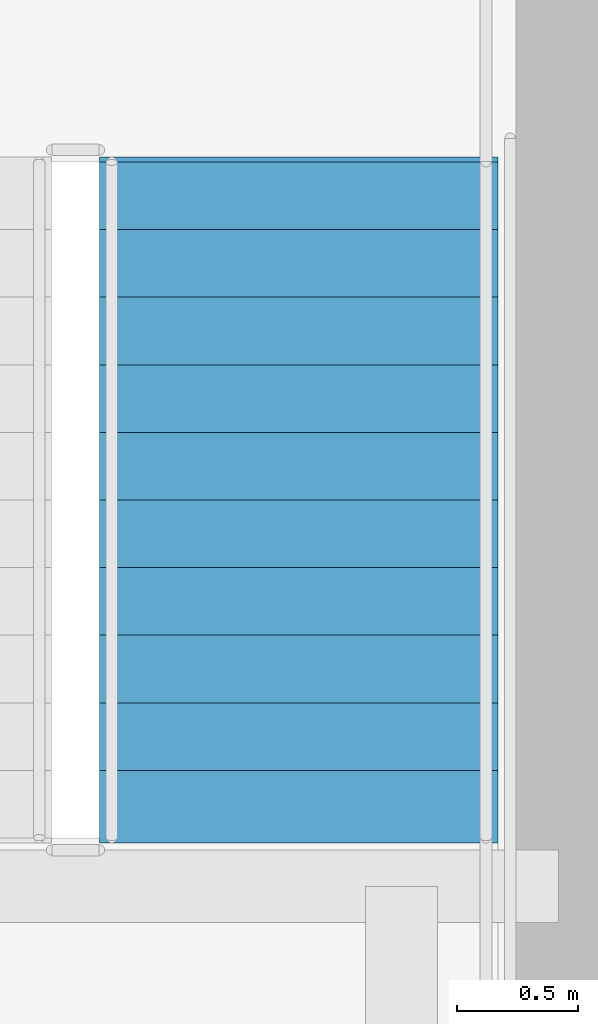
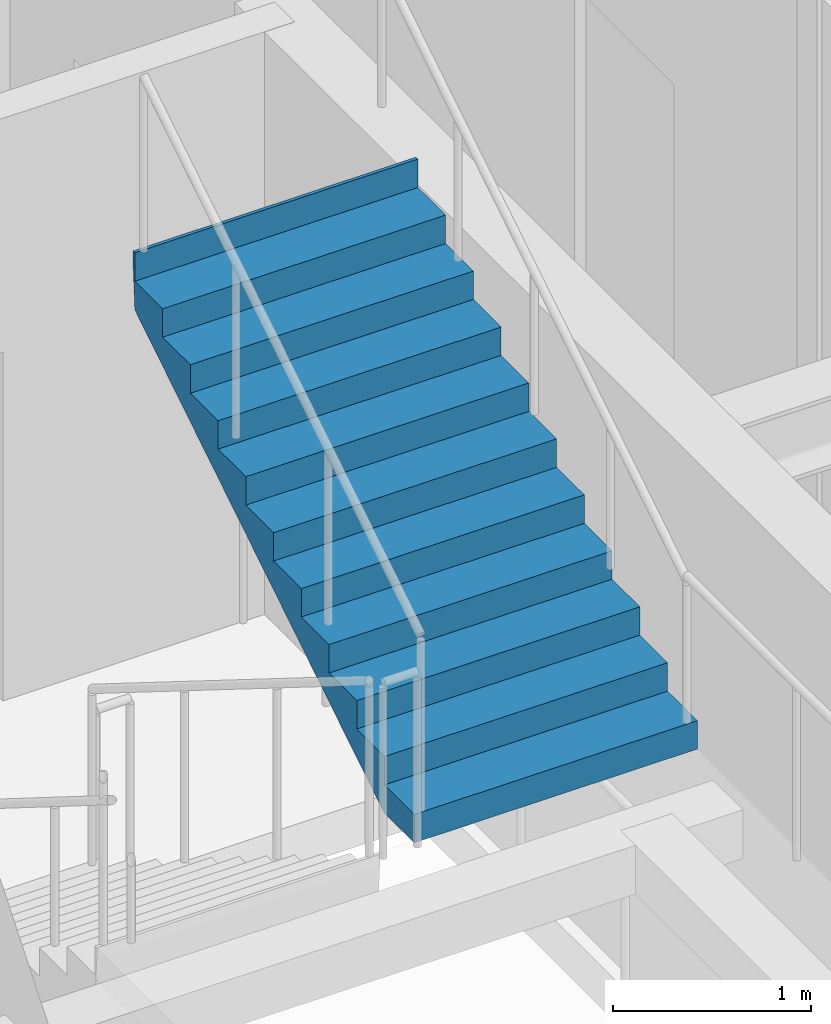
# One storey, part 33 of 38: 1 stair flight, 1 element without a shape of its own.
"""IFC4 building model written with IfcOpenShell, lengths in metres."""

from ifc_helpers import new_model, si_unit, direction, frame, origin, place, context, subcontext, project, spatial, polygons, material, type_object, element, aggregate, save


model = new_model("IFC4")

# Units and contexts
model_context = context("Model", 3, precision=1e-05, world=origin(), true_north=direction((0.0, 1.0)))
body_context = subcontext(model_context, "Body", "Model", "MODEL_VIEW")
ifc_project = project(units=[si_unit("LENGTHUNIT", "METRE"), si_unit("AREAUNIT", "SQUARE_METRE"), si_unit("VOLUMEUNIT", "CUBIC_METRE"), si_unit("PLANEANGLEUNIT", "RADIAN"), si_unit("MASSUNIT", "GRAM", prefix="KILO")], contexts=[model_context])

# Site, building, storey
site_placement = place(None, origin())
site = spatial("IfcSite", under=ifc_project, at=site_placement, CompositionType="ELEMENT")
building_placement = place(site_placement, origin())
building = spatial("IfcBuilding", under=site, at=building_placement, Name="Serunith Strait Residences", CompositionType="ELEMENT")
storey_placement = place(building_placement, frame((0.0, 0.0, 229.699951171875)))
storey = spatial("IfcBuildingStorey", under=building, at=storey_placement, Name="L57", CompositionType="ELEMENT", Elevation=229.699951171875)

# Stair, stair flight
ifc_material = material(Name="Concrete C50/60", Category="concrete")
stair_type = type_object("IfcStairType", Name="STR-CORE-2", PredefinedType="HALF_TURN_STAIR", material=ifc_material)
stair_placement = place(storey_placement, origin())
stair = element("IfcStair", 1, at=stair_placement, inside=storey, type_object=stair_type, Name="L57 Protected Escape Stair ST-2", PredefinedType="HALF_TURN_STAIR")
stair_flight_type = type_object("IfcStairFlightType", Name="FLT-CORE-2", PredefinedType="STRAIGHT", material=ifc_material)
stair_flight_placement = place(storey_placement, frame((40.324951171875, 20.570068359375, 1.925048828125), z_axis=(0.0, 0.0, 1.0), x_axis=(0.0, 1.0, 0.0)))
stair_flight = element("IfcStairFlight", 2, at=stair_flight_placement, type_object=stair_flight_type, Name="ST-2 flight 2", NumberOfRisers=11, NumberOfTreads=10, PredefinedType="STRAIGHT", RiserHeight=0.175, TreadLength=0.28, context=body_context, shape_type="Tessellation", body=[
    polygons([(-0.02001953125, -0.824951171875, 0.0), (-0.02001953125, -0.824951171875, 0.175048828125), (0.280029296875, -0.824951171875, 0.175048828125), (0.280029296875, -0.824951171875, 0.35009765625), (0.56005859375, -0.824951171875, 0.35009765625), (0.56005859375, -0.824951171875, 0.52490234375), (0.840087890625, -0.824951171875, 0.52490234375), (0.840087890625, -0.824951171875, 0.699951171875), (1.1201171875, -0.824951171875, 0.699951171875), (1.1201171875, -0.824951171875, 0.875), (1.39990234375, -0.824951171875, 0.875), (1.39990234375, -0.824951171875, 1.050048828125), (1.679931640625, -0.824951171875, 1.050048828125), (1.679931640625, -0.824951171875, 1.22509765625), (1.9599609375, -0.824951171875, 1.22509765625), (1.9599609375, -0.824951171875, 1.39990234375), (2.239990234375, -0.824951171875, 1.39990234375), (2.239990234375, -0.824951171875, 1.574951171875), (2.52001953125, -0.824951171875, 1.574951171875), (2.52001953125, -0.824951171875, 1.75), (2.800048828125, -0.824951171875, 1.75), (2.800048828125, -0.824951171875, 1.925048828125), (2.820068359375, -0.824951171875, 1.925048828125), (2.820068359375, -0.824951171875, 1.864990234375), (2.800048828125, -0.824951171875, 1.5732421875), (0.28271484375, -0.824951171875, 0.0), (-0.02001953125, -0.41259765625, 0.0), (-0.02001953125, -0.41259765625, 0.175048828125), (0.280029296875, -0.41259765625, 0.175048828125), (0.280029296875, -0.41259765625, 0.35009765625), (0.56005859375, -0.41259765625, 0.35009765625), (0.56005859375, -0.41259765625, 0.52490234375), (0.840087890625, -0.41259765625, 0.52490234375), (0.840087890625, -0.41259765625, 0.699951171875), (1.1201171875, -0.41259765625, 0.699951171875), (1.1201171875, -0.41259765625, 0.875), (1.39990234375, -0.41259765625, 0.875), (1.39990234375, -0.41259765625, 1.050048828125), (1.679931640625, -0.41259765625, 1.050048828125), (1.679931640625, -0.41259765625, 1.22509765625), (1.9599609375, -0.41259765625, 1.22509765625), (1.9599609375, -0.41259765625, 1.39990234375), (2.239990234375, -0.41259765625, 1.39990234375), (2.239990234375, -0.41259765625, 1.574951171875), (2.52001953125, -0.41259765625, 1.574951171875), (2.52001953125, -0.41259765625, 1.75), (2.800048828125, -0.41259765625, 1.75), (2.800048828125, -0.41259765625, 1.925048828125), (2.820068359375, -0.41259765625, 1.925048828125), (2.820068359375, -0.41259765625, 1.864990234375), (2.800048828125, -0.41259765625, 1.5732421875), (0.28271484375, -0.41259765625, 0.0), (-0.02001953125, 0.0, 0.0), (-0.02001953125, 0.0, 0.175048828125), (0.280029296875, 0.0, 0.175048828125), (0.280029296875, 0.0, 0.35009765625), (0.56005859375, 0.0, 0.35009765625), (0.56005859375, 0.0, 0.52490234375), (0.840087890625, 0.0, 0.52490234375), (0.840087890625, 0.0, 0.699951171875), (1.1201171875, 0.0, 0.699951171875), (1.1201171875, 0.0, 0.875), (1.39990234375, 0.0, 0.875), (1.39990234375, 0.0, 1.050048828125), (1.679931640625, 0.0, 1.050048828125), (1.679931640625, 0.0, 1.22509765625), (1.9599609375, 0.0, 1.22509765625), (1.9599609375, 0.0, 1.39990234375), (2.239990234375, 0.0, 1.39990234375), (2.239990234375, 0.0, 1.574951171875), (2.52001953125, 0.0, 1.574951171875), (2.52001953125, 0.0, 1.75), (2.800048828125, 0.0, 1.75), (2.800048828125, 0.0, 1.925048828125), (2.820068359375, 0.0, 1.925048828125), (2.820068359375, 0.0, 1.864990234375), (2.800048828125, 0.0, 1.5732421875), (0.28271484375, 0.0, 0.0), (-0.02001953125, 0.41259765625, 0.0), (-0.02001953125, 0.41259765625, 0.175048828125), (0.280029296875, 0.41259765625, 0.175048828125), (0.280029296875, 0.41259765625, 0.35009765625), (0.56005859375, 0.41259765625, 0.35009765625), (0.56005859375, 0.41259765625, 0.52490234375), (0.840087890625, 0.41259765625, 0.52490234375), (0.840087890625, 0.41259765625, 0.699951171875), (1.1201171875, 0.41259765625, 0.699951171875), (1.1201171875, 0.41259765625, 0.875), (1.39990234375, 0.41259765625, 0.875), (1.39990234375, 0.41259765625, 1.050048828125), (1.679931640625, 0.41259765625, 1.050048828125), (1.679931640625, 0.41259765625, 1.22509765625), (1.9599609375, 0.41259765625, 1.22509765625), (1.9599609375, 0.41259765625, 1.39990234375), (2.239990234375, 0.41259765625, 1.39990234375), (2.239990234375, 0.41259765625, 1.574951171875), (2.52001953125, 0.41259765625, 1.574951171875), (2.52001953125, 0.41259765625, 1.75), (2.800048828125, 0.41259765625, 1.75), (2.800048828125, 0.41259765625, 1.925048828125), (2.820068359375, 0.41259765625, 1.925048828125), (2.820068359375, 0.41259765625, 1.864990234375), (2.800048828125, 0.41259765625, 1.5732421875), (0.28271484375, 0.41259765625, 0.0), (-0.02001953125, 0.824951171875, 0.0), (-0.02001953125, 0.824951171875, 0.175048828125), (0.280029296875, 0.824951171875, 0.175048828125), (0.280029296875, 0.824951171875, 0.35009765625), (0.56005859375, 0.824951171875, 0.35009765625), (0.56005859375, 0.824951171875, 0.52490234375), (0.840087890625, 0.824951171875, 0.52490234375), (0.840087890625, 0.824951171875, 0.699951171875), (1.1201171875, 0.824951171875, 0.699951171875), (1.1201171875, 0.824951171875, 0.875), (1.39990234375, 0.824951171875, 0.875), (1.39990234375, 0.824951171875, 1.050048828125), (1.679931640625, 0.824951171875, 1.050048828125), (1.679931640625, 0.824951171875, 1.22509765625), (1.9599609375, 0.824951171875, 1.22509765625), (1.9599609375, 0.824951171875, 1.39990234375), (2.239990234375, 0.824951171875, 1.39990234375), (2.239990234375, 0.824951171875, 1.574951171875), (2.52001953125, 0.824951171875, 1.574951171875), (2.52001953125, 0.824951171875, 1.75), (2.800048828125, 0.824951171875, 1.75), (2.800048828125, 0.824951171875, 1.925048828125), (2.820068359375, 0.824951171875, 1.925048828125), (2.820068359375, 0.824951171875, 1.864990234375), (2.800048828125, 0.824951171875, 1.5732421875), (0.28271484375, 0.824951171875, 0.0)], [[[1, 2, 28, 27]], [[2, 3, 29, 28]], [[3, 4, 30, 29]], [[4, 5, 31, 30]], [[5, 6, 32, 31]], [[6, 7, 33, 32]], [[7, 8, 34, 33]], [[8, 9, 35, 34]], [[9, 10, 36, 35]], [[10, 11, 37, 36]], [[11, 12, 38, 37]], [[12, 13, 39, 38]], [[13, 14, 40, 39]], [[14, 15, 41, 40]], [[15, 16, 42, 41]], [[16, 17, 43, 42]], [[17, 18, 44, 43]], [[18, 19, 45, 44]], [[19, 20, 46, 45]], [[20, 21, 47, 46]], [[21, 22, 48, 47]], [[22, 23, 49, 48]], [[23, 24, 50, 49]], [[24, 25, 51, 50]], [[25, 26, 52, 51]], [[26, 1, 27, 52]], [[27, 28, 54, 53]], [[28, 29, 55, 54]], [[29, 30, 56, 55]], [[30, 31, 57, 56]], [[31, 32, 58, 57]], [[32, 33, 59, 58]], [[33, 34, 60, 59]], [[34, 35, 61, 60]], [[35, 36, 62, 61]], [[36, 37, 63, 62]], [[37, 38, 64, 63]], [[38, 39, 65, 64]], [[39, 40, 66, 65]], [[40, 41, 67, 66]], [[41, 42, 68, 67]], [[42, 43, 69, 68]], [[43, 44, 70, 69]], [[44, 45, 71, 70]], [[45, 46, 72, 71]], [[46, 47, 73, 72]], [[47, 48, 74, 73]], [[48, 49, 75, 74]], [[49, 50, 76, 75]], [[50, 51, 77, 76]], [[51, 52, 78, 77]], [[52, 27, 53, 78]], [[53, 54, 80, 79]], [[54, 55, 81, 80]], [[55, 56, 82, 81]], [[56, 57, 83, 82]], [[57, 58, 84, 83]], [[58, 59, 85, 84]], [[59, 60, 86, 85]], [[60, 61, 87, 86]], [[61, 62, 88, 87]], [[62, 63, 89, 88]], [[63, 64, 90, 89]], [[64, 65, 91, 90]], [[65, 66, 92, 91]], [[66, 67, 93, 92]], [[67, 68, 94, 93]], [[68, 69, 95, 94]], [[69, 70, 96, 95]], [[70, 71, 97, 96]], [[71, 72, 98, 97]], [[72, 73, 99, 98]], [[73, 74, 100, 99]], [[74, 75, 101, 100]], [[75, 76, 102, 101]], [[76, 77, 103, 102]], [[77, 78, 104, 103]], [[78, 53, 79, 104]], [[79, 80, 106, 105]], [[80, 81, 107, 106]], [[81, 82, 108, 107]], [[82, 83, 109, 108]], [[83, 84, 110, 109]], [[84, 85, 111, 110]], [[85, 86, 112, 111]], [[86, 87, 113, 112]], [[87, 88, 114, 113]], [[88, 89, 115, 114]], [[89, 90, 116, 115]], [[90, 91, 117, 116]], [[91, 92, 118, 117]], [[92, 93, 119, 118]], [[93, 94, 120, 119]], [[94, 95, 121, 120]], [[95, 96, 122, 121]], [[96, 97, 123, 122]], [[97, 98, 124, 123]], [[98, 99, 125, 124]], [[99, 100, 126, 125]], [[100, 101, 127, 126]], [[101, 102, 128, 127]], [[102, 103, 129, 128]], [[103, 104, 130, 129]], [[104, 79, 105, 130]], [[26, 25, 24, 23, 22, 21, 20, 19, 18, 17, 16, 15, 14, 13, 12, 11, 10, 9, 8, 7, 6, 5, 4, 3, 2, 1]], [[105, 106, 107, 108, 109, 110, 111, 112, 113, 114, 115, 116, 117, 118, 119, 120, 121, 122, 123, 124, 125, 126, 127, 128, 129, 130]]], closed=True),
])
aggregate(stair, [stair_flight])

save(model, "model.ifc")
